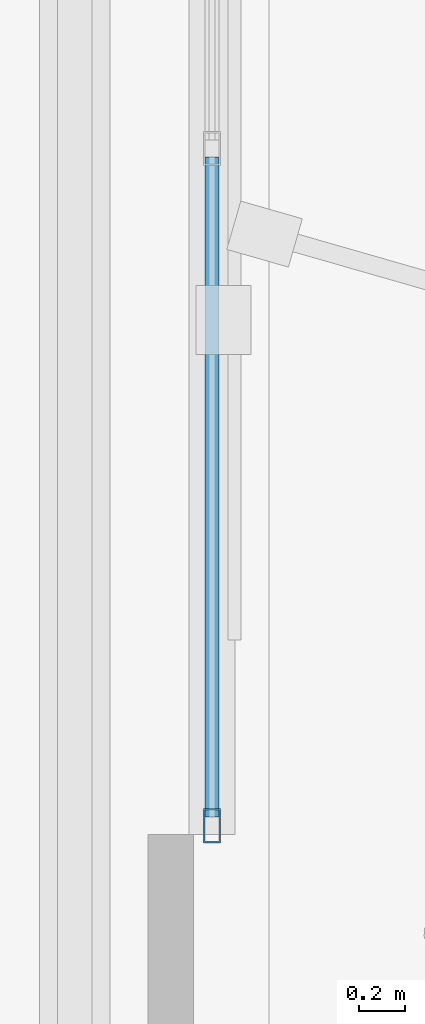
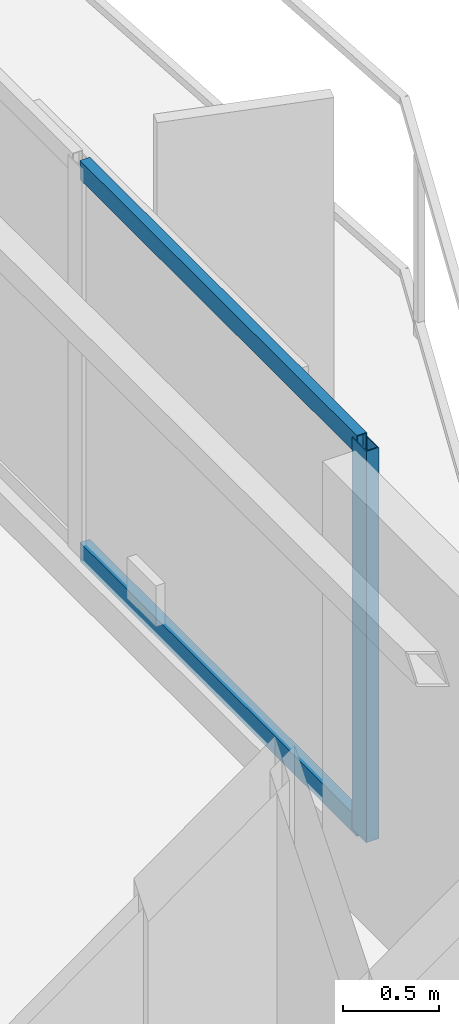
# One storey, part 6 of 21: 3 members, 1 element without a shape of its own.
"""IFC4 building model written with IfcOpenShell, lengths in metres."""

from ifc_helpers import new_model, si_unit, direction, frame, origin, origin_2d, place, context, subcontext, project, spatial, hollow_rectangle, extrude, material, layer, layer_set, material_profile, profile_set, type_object, element, aggregate, save


model = new_model("IFC4")

# Units and contexts
model_context = context("Model", 3, precision=1e-05, world=origin(), true_north=direction((0.0, 1.0)))
body_context = subcontext(model_context, "Body", "Model", "MODEL_VIEW")
ifc_project = project(units=[si_unit("LENGTHUNIT", "METRE"), si_unit("AREAUNIT", "SQUARE_METRE"), si_unit("VOLUMEUNIT", "CUBIC_METRE"), si_unit("PLANEANGLEUNIT", "RADIAN"), si_unit("MASSUNIT", "GRAM", prefix="KILO")], contexts=[model_context])

# Site, building, storey
site_placement = place(None, origin())
site = spatial("IfcSite", under=ifc_project, at=site_placement, CompositionType="ELEMENT")
building_placement = place(site_placement, origin())
building = spatial("IfcBuilding", under=site, at=building_placement, Name="Mersakhor Tower and Convention Hall", CompositionType="ELEMENT")
storey_placement = place(building_placement, frame((0.0, 0.0, 178.800048828125)))
storey = spatial("IfcBuildingStorey", under=building, at=storey_placement, Name="L49", CompositionType="ELEMENT", Elevation=178.800048828125)

# Curtain wall, members
ifc_material_1 = material(Name="Dark solar low-E aluminium curtain wall", Category="aluminium")
ifc_layer = layer(ifc_material_1, 0.169921875)
ifc_layer_set = layer_set([ifc_layer], Name="Dark solar low-E aluminium curtain wall")
curtain_wall_type = type_object("IfcCurtainWallType", Name="CW-SYS-02", PredefinedType="USERDEFINED", material=ifc_layer_set)
curtain_wall_placement = place(storey_placement, origin())
curtain_wall = element("IfcCurtainWall", 1, at=curtain_wall_placement, inside=storey, type_object=curtain_wall_type, Name="L49 Dark-Glass Curtain Wall F2-B2", ObjectType="CURTAIN WALL", PredefinedType="USERDEFINED")
ifc_material_2 = material(Name="Anodised aluminium EN AW-6063 T6", Category="aluminium")
ifc_material_profile_1 = material_profile(ifc_material_2, hollow_rectangle(XDim=0.074951171875, YDim=0.14990234375, WallThickness=0.00634765625, at=origin_2d()), Name="RHS 150x75x6.3")
ifc_profile_set_1 = profile_set([ifc_material_profile_1], Name="Anodised aluminium EN AW-6063 T6")
member_type_1 = type_object("IfcMemberType", Name="CWM-150x75", PredefinedType="MULLION", material=ifc_profile_set_1)
member_1_placement = place(storey_placement, frame((40.58837890625, 22.2880859375, 0.199951171875), z_axis=(0.0, 0.0, 1.0), x_axis=(1.0, 0.0, 0.0)))
member_1 = element("IfcMember", 2, at=member_1_placement, type_object=member_type_1, Name="CW-02 mullion 4", PredefinedType="MULLION", context=body_context, shape_type="SweptSolid", body=[
    extrude(hollow_rectangle(XDim=0.074951171875, YDim=0.14990234375, WallThickness=0.00634765625, at=origin_2d()), origin(), (0.0, 0.0, 1.0), 2.489990234375),
])
ifc_material_3 = material(Name="Anodised aluminium EN AW-6063 T6", Category="aluminium")
ifc_material_profile_2 = material_profile(ifc_material_3, hollow_rectangle(XDim=0.06005859375, YDim=0.1201171875, WallThickness=0.0048828125, at=origin_2d()), Name="RHS 120x60x5")
ifc_profile_set_2 = profile_set([ifc_material_profile_2], Name="Anodised aluminium EN AW-6063 T6")
member_type_2 = type_object("IfcMemberType", Name="CWT-120x60", PredefinedType="USERDEFINED", material=ifc_profile_set_2)
member_2_placement = place(storey_placement, frame((40.58837890625, 25.212646484375, 0.22998046875), z_axis=(0.0, -1.0, 0.0), x_axis=(1.0, 0.0, 0.0)))
member_2 = element("IfcMember", 3, at=member_2_placement, type_object=member_type_2, Name="CW-02 transom 3.1", ObjectType="TRANSOM", PredefinedType="USERDEFINED", context=body_context, shape_type="SweptSolid", body=[
    extrude(hollow_rectangle(XDim=0.06005859375, YDim=0.1201171875, WallThickness=0.0048828125, at=origin_2d()), origin(), (0.0, 0.0, 1.0), 2.88720703125),
])
member_3_placement = place(storey_placement, frame((40.58837890625, 25.212646484375, 2.659912109375), z_axis=(0.0, -1.0, 0.0), x_axis=(1.0, 0.0, 0.0)))
member_3 = element("IfcMember", 4, at=member_3_placement, type_object=member_type_2, Name="CW-02 transom 3.2", ObjectType="TRANSOM", PredefinedType="USERDEFINED", context=body_context, shape_type="SweptSolid", body=[
    extrude(hollow_rectangle(XDim=0.06005859375, YDim=0.1201171875, WallThickness=0.0048828125, at=origin_2d()), origin(), (0.0, 0.0, 1.0), 2.88720703125),
])
aggregate(curtain_wall, [member_1, member_2, member_3])

save(model, "model.ifc")
